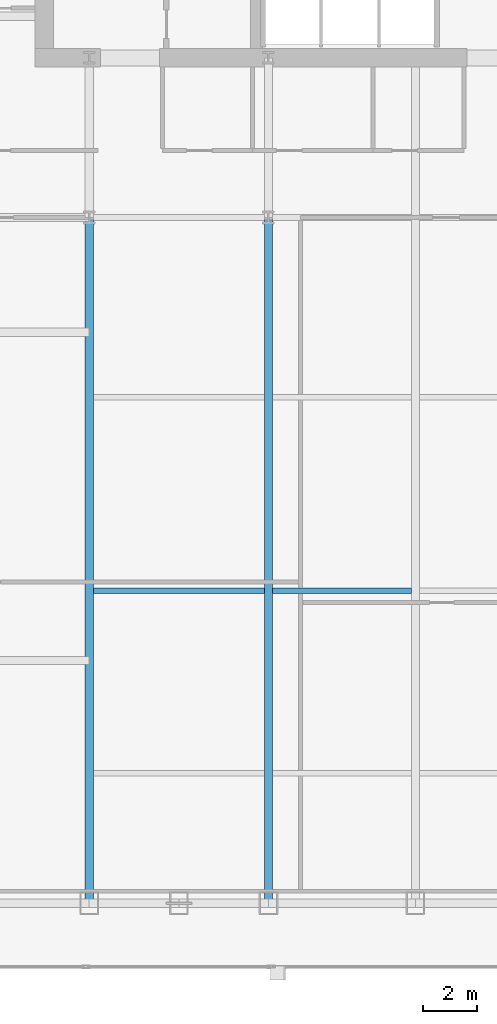
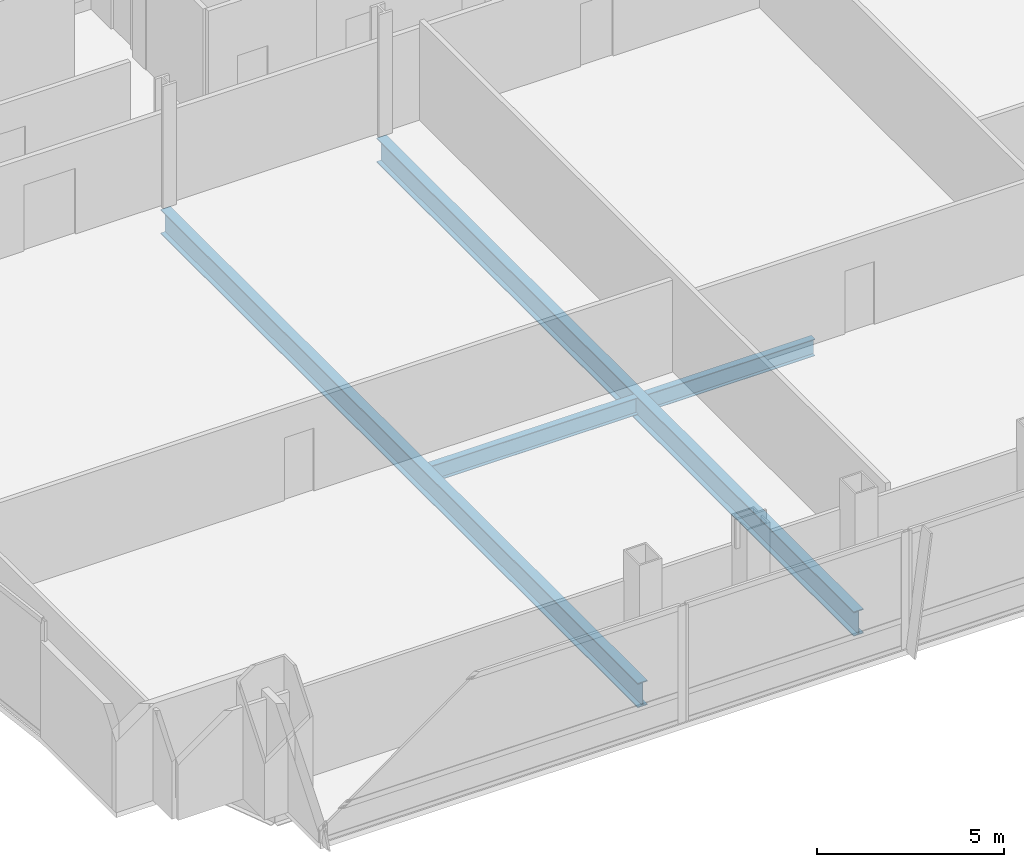
# One storey, part 9 of 30: 4 beams.
"""IFC4 building model written with IfcOpenShell, lengths in metres."""

from ifc_helpers import new_model, si_unit, direction, frame, origin, origin_2d, place, context, subcontext, project, spatial, i_section, extrude, material, material_profile, profile_set, type_object, element, save


model = new_model("IFC4")

# Units and contexts
model_context = context("Model", 3, precision=1e-05, world=origin(), true_north=direction((0.0, 1.0)))
body_context = subcontext(model_context, "Body", "Model", "MODEL_VIEW")
ifc_project = project(units=[si_unit("LENGTHUNIT", "METRE"), si_unit("AREAUNIT", "SQUARE_METRE"), si_unit("VOLUMEUNIT", "CUBIC_METRE"), si_unit("PLANEANGLEUNIT", "RADIAN"), si_unit("MASSUNIT", "GRAM", prefix="KILO")], contexts=[model_context])

# Site, building, storey
site_placement = place(None, origin())
site = spatial("IfcSite", under=ifc_project, at=site_placement, CompositionType="ELEMENT")
building_placement = place(site_placement, origin())
building = spatial("IfcBuilding", under=site, at=building_placement, Name="Khoronbel Lancet Exchange", CompositionType="ELEMENT")
storey_placement = place(building_placement, frame((0.0, 0.0, 90.60009765625)))
storey = spatial("IfcBuildingStorey", under=building, at=storey_placement, Name="L21", CompositionType="ELEMENT", Elevation=90.60009765625)

# Beams
ifc_material = material(Name="Steel S355", Category="steel")
ifc_material_profile_1 = material_profile(ifc_material, i_section(OverallWidth=0.300048828125, OverallDepth=0.800048828125, WebThickness=0.017578125, FlangeThickness=0.032958984375, at=origin_2d()), Name="HEB 800")
ifc_profile_set_1 = profile_set([ifc_material_profile_1], Name="Steel S355")
beam_type_1 = type_object("IfcBeamType", Name="BM-BG2", PredefinedType="BEAM", material=ifc_profile_set_1)
for number, where, z_axis, x_axis, name in (
    (1, (18.22509765625, 10.14990234375, -0.580078125), (0.0, 1.0, 0.0), (-1.0, 0.0, 0.0), "Level L21 south primary girder GS1"),
    (2, (24.89990234375, 10.14990234375, -0.580078125), (0.0, 1.0, 0.0), (-1.0, 0.0, 0.0), "Level L21 south primary girder GS2"),
):
    element("IfcBeam", number, at=place(storey_placement, frame(where, z_axis=z_axis, x_axis=x_axis)), inside=storey, type_object=beam_type_1, Name=name, PredefinedType="BEAM", context=body_context, shape_type="SweptSolid", body=[
        extrude(i_section(OverallWidth=0.300048828125, OverallDepth=0.800048828125, WebThickness=0.017578125, FlangeThickness=0.032958984375, at=origin_2d()), origin(), (0.0, 0.0, 1.0), 25.550048828125),
    ])
ifc_material_profile_2 = material_profile(ifc_material, i_section(OverallWidth=0.2099609375, OverallDepth=0.550048828125, WebThickness=0.010986328125, FlangeThickness=0.01708984375, at=origin_2d()), Name="IPE 550")
ifc_profile_set_2 = profile_set([ifc_material_profile_2], Name="Steel S355")
beam_type_2 = type_object("IfcBeamType", Name="BM-BJ2", PredefinedType="JOIST", material=ifc_profile_set_2)
beam_1_placement = place(storey_placement, frame((18.375, 21.800048828125, -0.455078125), z_axis=(1.0, 0.0, 0.0), x_axis=(0.0, 1.0, 0.0)))
element("IfcBeam", 3, at=beam_1_placement, inside=storey, type_object=beam_type_2, Name="Level L21 secondary composite joist J06", PredefinedType="JOIST", context=body_context, shape_type="SweptSolid", body=[
    extrude(i_section(OverallWidth=0.2099609375, OverallDepth=0.550048828125, WebThickness=0.010986328125, FlangeThickness=0.01708984375, at=origin_2d()), origin(), (0.0, 0.0, 1.0), 6.375),
])
beam_2_placement = place(storey_placement, frame((25.050048828125, 21.800048828125, -0.455078125), z_axis=(1.0, 0.0, 0.0), x_axis=(0.0, 1.0, 0.0)))
element("IfcBeam", 4, at=beam_2_placement, inside=storey, type_object=beam_type_2, Name="Level L21 secondary composite joist J07", PredefinedType="JOIST", context=body_context, shape_type="SweptSolid", body=[
    extrude(i_section(OverallWidth=0.2099609375, OverallDepth=0.550048828125, WebThickness=0.010986328125, FlangeThickness=0.01708984375, at=origin_2d()), origin(), (0.0, 0.0, 1.0), 5.175048828125),
])

save(model, "model.ifc")
